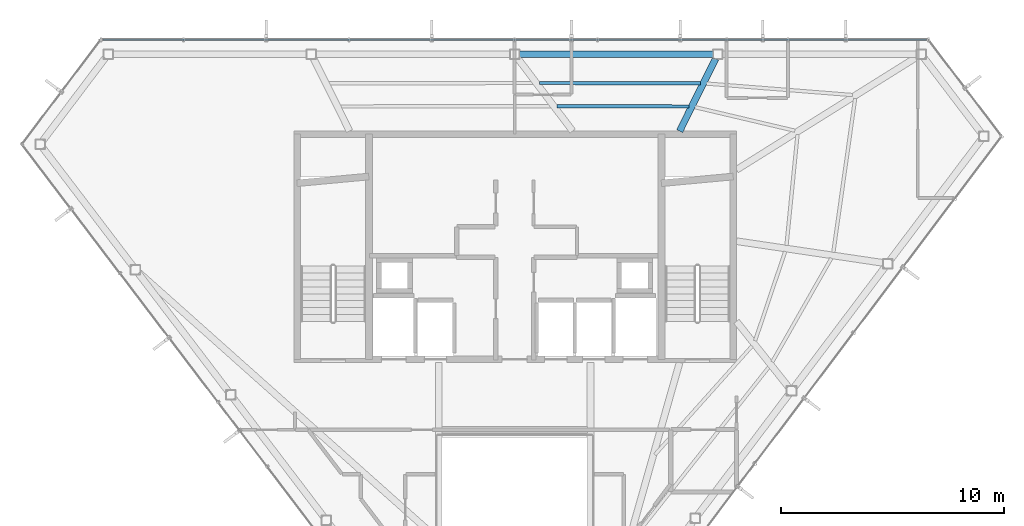
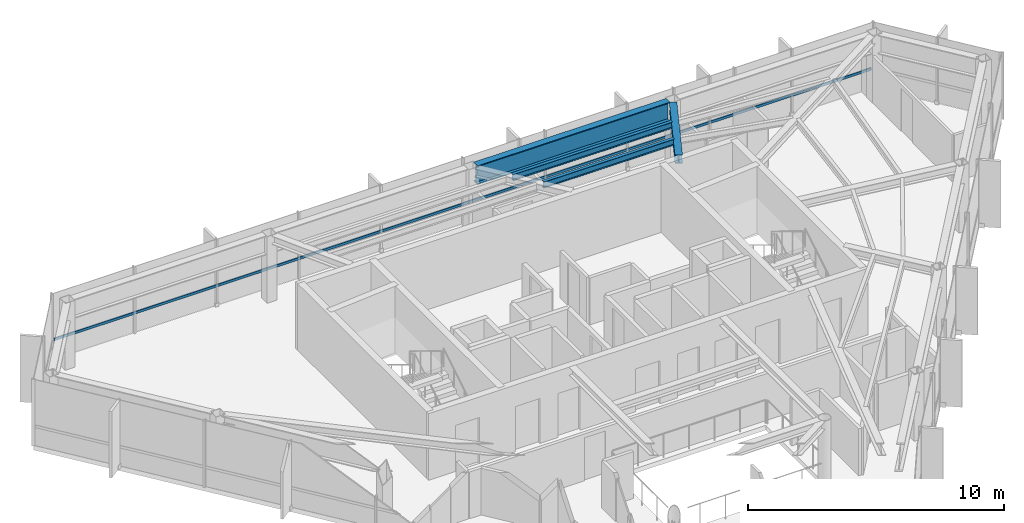
# One storey, part 13 of 23: 4 beams, 1 member, 1 element without a shape of its own.
"""IFC4 building model written with IfcOpenShell, lengths in metres."""

from ifc_helpers import new_model, si_unit, direction, frame, origin, origin_2d, place, context, subcontext, project, spatial, hollow_rectangle, i_section, extrude, material, layer, layer_set, material_profile, profile_set, type_object, element, aggregate, save


model = new_model("IFC4")

# Units and contexts
model_context = context("Model", 3, precision=1e-05, world=origin(), true_north=direction((0.0, 1.0)))
body_context = subcontext(model_context, "Body", "Model", "MODEL_VIEW")
ifc_project = project(units=[si_unit("LENGTHUNIT", "METRE"), si_unit("AREAUNIT", "SQUARE_METRE"), si_unit("VOLUMEUNIT", "CUBIC_METRE"), si_unit("PLANEANGLEUNIT", "RADIAN"), si_unit("MASSUNIT", "GRAM", prefix="KILO")], contexts=[model_context])

# Site, building, storey
site_placement = place(None, origin())
site = spatial("IfcSite", under=ifc_project, at=site_placement, CompositionType="ELEMENT")
building_placement = place(site_placement, origin())
building = spatial("IfcBuilding", under=site, at=building_placement, Name="Zarrinselat Tower", CompositionType="ELEMENT")
storey_placement = place(building_placement, frame((0.0, 0.0, 278.800048828125)))
storey = spatial("IfcBuildingStorey", under=building, at=storey_placement, Name="L71", CompositionType="ELEMENT", Elevation=278.800048828125)

# Beams
ifc_material_1 = material(Name="Steel S355J2", Category="steel")
ifc_material_profile_1 = material_profile(ifc_material_1, i_section(OverallWidth=0.300048828125, OverallDepth=0.39990234375, WebThickness=0.013427734375, FlangeThickness=0.02392578125, at=origin_2d()), Name="HEB 400")
ifc_profile_set_1 = profile_set([ifc_material_profile_1], Name="Steel S355J2")
beam_type_1 = type_object("IfcBeamType", Name="BM-HEB400", PredefinedType="BEAM", material=ifc_profile_set_1)
beam_1_placement = place(storey_placement, frame((45.800048828125, 43.5400390625, 2.97998046875), z_axis=(0.446161273483, 0.894952578657, 0.0), x_axis=(-0.894952578657, 0.446161273483, 0.0)))
element("IfcBeam", 1, at=beam_1_placement, inside=storey, type_object=beam_type_1, Name="L71 Radial Primary Girder RG02", PredefinedType="BEAM", context=body_context, shape_type="SweptSolid", body=[
    extrude(i_section(OverallWidth=0.300048828125, OverallDepth=0.39990234375, WebThickness=0.013427734375, FlangeThickness=0.02392578125, at=origin_2d()), origin(), (0.0, 0.0, 1.0), 3.620361328125),
])
ifc_material_2 = material(Name="Steel S460M", Category="steel")
ifc_material_profile_2 = material_profile(ifc_material_2, i_section(OverallWidth=0.302001953125, OverallDepth=0.909912109375, WebThickness=0.02099609375, FlangeThickness=0.0400390625, at=origin_2d()), Name="HEM 900")
ifc_profile_set_2 = profile_set([ifc_material_profile_2], Name="Steel S460M")
beam_type_2 = type_object("IfcBeamType", Name="BM-HEM900", PredefinedType="BEAM", material=ifc_profile_set_2)
beam_2_placement = place(storey_placement, frame((38.613037109375, 46.9833984375, 2.724853515625), z_axis=(1.0, 0.0, 0.0), x_axis=(0.0, 1.0, 0.0)))
element("IfcBeam", 2, at=beam_2_placement, inside=storey, type_object=beam_type_2, Name="L71 Perimeter Spandrel Girder SP02", PredefinedType="BEAM", context=body_context, shape_type="SweptSolid", body=[
    extrude(i_section(OverallWidth=0.302001953125, OverallDepth=0.909912109375, WebThickness=0.02099609375, FlangeThickness=0.0400390625, at=origin_2d()), origin(), (0.0, 0.0, 1.0), 8.690673828125),
])
ifc_material_3 = material(Name="Steel S355J2", Category="steel")
ifc_material_profile_3 = material_profile(ifc_material_3, i_section(OverallWidth=0.14990234375, OverallDepth=0.300048828125, WebThickness=0.007080078125, FlangeThickness=0.0107421875, at=origin_2d()), Name="IPE 300")
ifc_profile_set_3 = profile_set([ifc_material_profile_3], Name="Steel S355J2")
beam_type_3 = type_object("IfcBeamType", Name="BM-IPE300", PredefinedType="JOIST", material=ifc_profile_set_3)
beam_3_placement = place(storey_placement, frame((39.514404296875, 45.692626953125, 3.030029296875), z_axis=(0.999998138352, -0.001929583408, 0.0), x_axis=(0.001929583408, 0.999998138352, 0.0)))
element("IfcBeam", 3, at=beam_3_placement, inside=storey, type_object=beam_type_3, Name="L71 Composite Floor Joist 7-1", PredefinedType="JOIST", context=body_context, shape_type="SweptSolid", body=[
    extrude(i_section(OverallWidth=0.14990234375, OverallDepth=0.300048828125, WebThickness=0.007080078125, FlangeThickness=0.0107421875, at=origin_2d()), origin(), (0.0, 0.0, 1.0), 7.2119140625),
])
beam_4_placement = place(storey_placement, frame((40.302490234375, 44.64892578125, 3.030029296875), z_axis=(0.999999281627, -0.001198643431, 0.0), x_axis=(0.001198643431, 0.999999281627, 0.0)))
element("IfcBeam", 4, at=beam_4_placement, inside=storey, type_object=beam_type_3, Name="L71 Composite Floor Joist 7-2", PredefinedType="JOIST", context=body_context, shape_type="SweptSolid", body=[
    extrude(i_section(OverallWidth=0.14990234375, OverallDepth=0.300048828125, WebThickness=0.007080078125, FlangeThickness=0.0107421875, at=origin_2d()), origin(), (0.0, 0.0, 1.0), 5.90673828125),
])

# Curtain wall, member
ifc_material_4 = material(Name="Extruded Aluminium Alloy EN AW-6063 T6", Category="aluminium")
ifc_layer = layer(ifc_material_4, 0.169921875)
ifc_layer_set = layer_set([ifc_layer], Name="Extruded Aluminium Alloy EN AW-6063 T6")
curtain_wall_type = type_object("IfcCurtainWallType", Name="CWS-RES", PredefinedType="NOTDEFINED", material=ifc_layer_set)
curtain_wall_placement = place(storey_placement, origin())
curtain_wall = element("IfcCurtainWall", 5, at=curtain_wall_placement, inside=storey, type_object=curtain_wall_type, Name="L71 Unitised Curtain Wall CW-L71-E01", PredefinedType="NOTDEFINED")
ifc_material_5 = material(Name="Extruded Aluminium Alloy EN AW-6063 T6", Category="aluminium")
ifc_material_profile_4 = material_profile(ifc_material_5, hollow_rectangle(XDim=0.06005859375, YDim=0.1201171875, WallThickness=0.00390625, at=origin_2d()), Name="RHS 120x60x4")
ifc_profile_set_4 = profile_set([ifc_material_profile_4], Name="Extruded Aluminium Alloy EN AW-6063 T6")
member_type = type_object("IfcMemberType", Name="MEM-CW-TRN2", PredefinedType="USERDEFINED", material=ifc_profile_set_4)
member_placement = place(storey_placement, frame((56.865478515625, 47.63330078125, 0.949951171875), z_axis=(-1.0, 0.0, 0.0), x_axis=(0.0, -1.0, 0.0)))
member = element("IfcMember", 6, at=member_placement, type_object=member_type, Name="CW-L71-E01 Transom 1", ObjectType="TRANSOM", PredefinedType="USERDEFINED", context=body_context, shape_type="SweptSolid", body=[
    extrude(hollow_rectangle(XDim=0.06005859375, YDim=0.1201171875, WallThickness=0.00390625, at=origin_2d()), origin(), (0.0, 0.0, 1.0), 36.932373046875),
])
aggregate(curtain_wall, [member])

save(model, "model.ifc")
